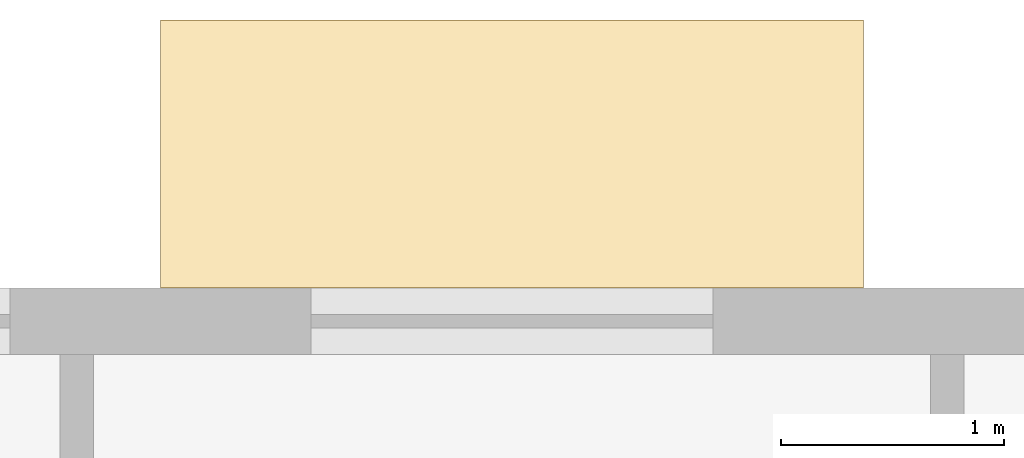
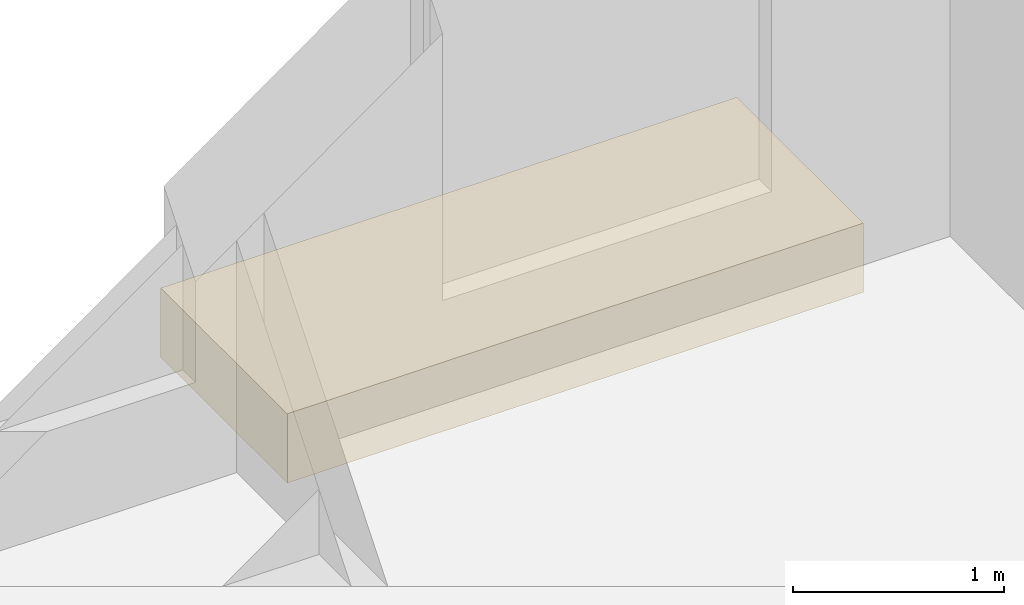
# One storey, part 15 of 15: 1 covering.
"""IFC4 building model written with IfcOpenShell, lengths in metres."""

from ifc_helpers import new_model, si_unit, direction, frame, origin, place, context, subcontext, project, spatial, polyline, outline, extrude, material, type_object, element, save


model = new_model("IFC4")

# Units and contexts
model_context = context("Model", 3, precision=1e-05, world=origin(), true_north=direction((0.0, 1.0)))
body_context = subcontext(model_context, "Body", "Model", "MODEL_VIEW")
ifc_project = project(units=[si_unit("LENGTHUNIT", "METRE"), si_unit("AREAUNIT", "SQUARE_METRE"), si_unit("VOLUMEUNIT", "CUBIC_METRE"), si_unit("PLANEANGLEUNIT", "RADIAN"), si_unit("MASSUNIT", "GRAM", prefix="KILO")], contexts=[model_context])

# Site, building, storey
site_placement = place(None, origin())
site = spatial("IfcSite", under=ifc_project, at=site_placement, CompositionType="ELEMENT")
building_placement = place(site_placement, origin())
building = spatial("IfcBuilding", under=site, at=building_placement, Name="Aurelian Terraces", CompositionType="ELEMENT")
storey_placement = place(building_placement, frame((0.0, 0.0, 74.1)))
storey = spatial("IfcBuildingStorey", under=building, at=storey_placement, Name="L15", CompositionType="ELEMENT", Elevation=74.1)

# Covering
ifc_material = material(Name="Terracotta roof tiles on membrane", Category="masonry")
covering_type = type_object("IfcCoveringType", Name="Bay roof cover", PredefinedType="ROOFING", material=ifc_material)
covering_placement = place(storey_placement, frame((0.0, 0.0, -0.4)))
element("IfcCovering", 1, at=covering_placement, inside=storey, type_object=covering_type, Name="Bay roof L15 11.55_65.52_14.70_66.72", PredefinedType="ROOFING", context=body_context, shape_type="SweptSolid", body=[
    extrude(outline(polyline([(11.55, 65.52), (11.55, 66.72), (14.7, 66.72), (14.7, 65.52), (11.55, 65.52)])), origin(), (0.0, 0.0, 1.0), 0.4),
])

save(model, "model.ifc")
